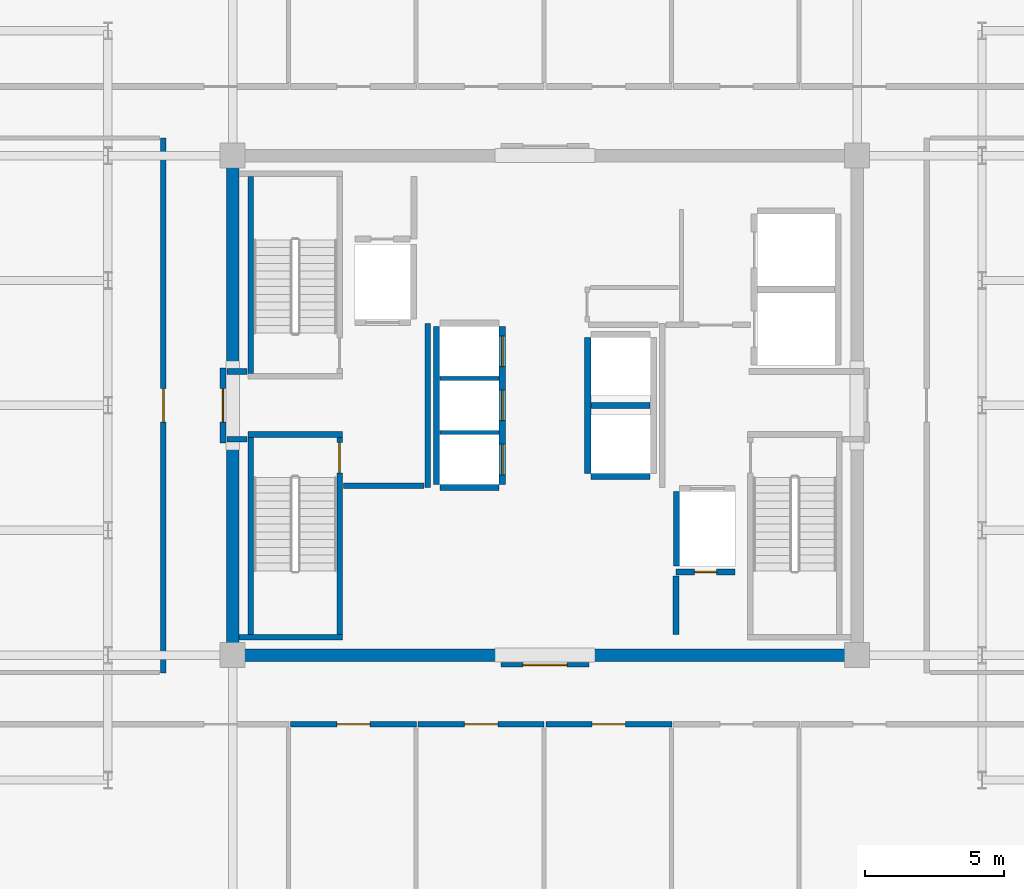
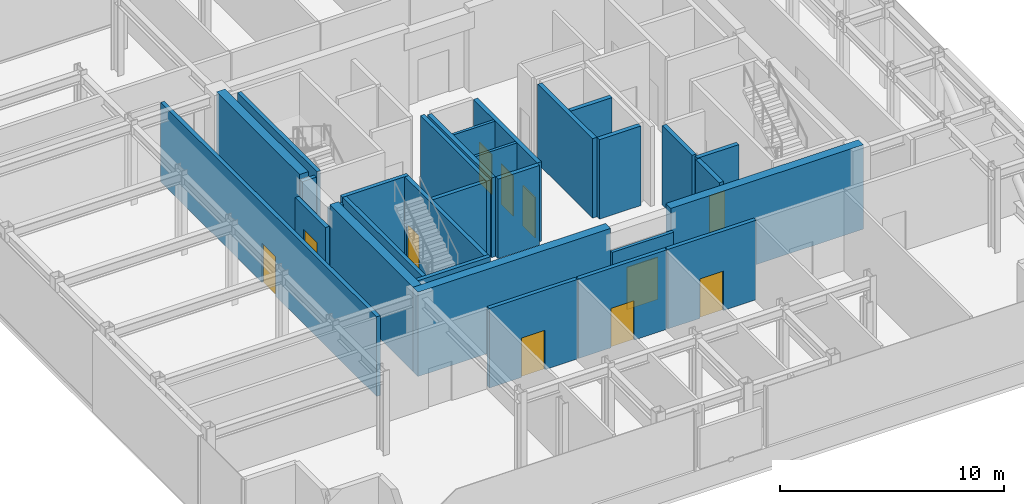
# One storey, part 13 of 18: 30 walls, 11 doors, 11 openings.
"""IFC4 building model written with IfcOpenShell, lengths in metres."""

from ifc_helpers import new_model, si_unit, direction, frame, frame_2d, origin, place, context, subcontext, project, spatial, rectangle, extrude, source, transform, mapped, material, layer, layer_set, type_object, element, fill, save


model = new_model("IFC4")

# Units and contexts
model_context = context("Model", 3, precision=1e-05, world=origin(), true_north=direction((0.0, 1.0)))
body_context = subcontext(model_context, "Body", "Model", "MODEL_VIEW")
ifc_project = project(units=[si_unit("LENGTHUNIT", "METRE"), si_unit("AREAUNIT", "SQUARE_METRE"), si_unit("VOLUMEUNIT", "CUBIC_METRE"), si_unit("PLANEANGLEUNIT", "RADIAN"), si_unit("MASSUNIT", "GRAM", prefix="KILO")], contexts=[model_context])

# Site, building, storey
site_placement = place(None, origin())
site = spatial("IfcSite", under=ifc_project, at=site_placement, CompositionType="ELEMENT")
building_placement = place(site_placement, origin())
building = spatial("IfcBuilding", under=site, at=building_placement, Name="Nefas-Gora Pilgrimage Tower", CompositionType="ELEMENT")
storey_placement = place(building_placement, frame((0.0, 0.0, 317.800048828125)))
storey = spatial("IfcBuildingStorey", under=building, at=storey_placement, Name="L80", CompositionType="ELEMENT", Elevation=317.800048828125)

# Walls
ifc_material_1 = material(Name="Concrete C50/60", Category="concrete")
ifc_layer_1 = layer(ifc_material_1, 0.449951171875)
ifc_layer_set_1 = layer_set([ifc_layer_1], Name="Concrete C50/60")
wall_type_1 = type_object("IfcWallType", Name="SW-CORE-450", PredefinedType="SHEAR", material=ifc_layer_set_1)
shared_shape_1 = source(origin(), body_context, "Body", "SweptSolid", [
    extrude(rectangle(XDim=9.925048828125, YDim=0.449951171875, at=frame_2d((4.96240234375, 0.0))), origin(), (0.0, 0.0, 1.0), 4.599853515625),
])
for number, where, z_axis, x_axis, name in (
    (1, (-11.47509765625, -9.0, 0.0), (0.0, 0.0, 1.0), (1.0, 0.0, 0.0), "L80 Core Shear Wall S-West"),
    (2, (1.550048828125, -9.0, 0.0), (0.0, 0.0, 1.0), (1.0, 0.0, 0.0), "L80 Core Shear Wall S-East"),
):
    element("IfcWall", number, at=place(storey_placement, frame(where, z_axis=z_axis, x_axis=x_axis)), inside=storey, type_object=wall_type_1, Name=name, PredefinedType="SHEAR", context=body_context, shape_type="MappedRepresentation", body=[
        mapped(shared_shape_1, transform((0.0, 0.0, 0.0), x_axis=(1.0, 0.0, 0.0), y_axis=(0.0, 1.0, 0.0), z_axis=(0.0, 0.0, 1.0), scale=1.0)),
    ])
shared_shape_2 = source(origin(), body_context, "Body", "SweptSolid", [
    extrude(rectangle(XDim=7.4248046875, YDim=0.449951171875, at=frame_2d((3.71240234375, 0.0))), origin(), (0.0, 0.0, 1.0), 4.599853515625),
])
for number, where, z_axis, x_axis, name in (
    (3, (-11.25, -8.77490234375, 0.0), (0.0, 0.0, 1.0), (0.0, 1.0, 0.0), "L80 Core Shear Wall W-South"),
    (4, (-11.25, 1.35009765625, 0.0), (0.0, 0.0, 1.0), (0.0, 1.0, 0.0), "L80 Core Shear Wall W-North"),
):
    element("IfcWall", number, at=place(storey_placement, frame(where, z_axis=z_axis, x_axis=x_axis)), inside=storey, type_object=wall_type_1, Name=name, PredefinedType="SHEAR", context=body_context, shape_type="MappedRepresentation", body=[
        mapped(shared_shape_2, transform((0.0, 0.0, 0.0), x_axis=(1.0, 0.0, 0.0), y_axis=(0.0, 1.0, 0.0), z_axis=(0.0, 0.0, 1.0), scale=1.0)),
    ])
ifc_material_2 = material(Name="Concrete C45/55", Category="concrete")
ifc_layer_2 = layer(ifc_material_2, 0.199951171875)
ifc_layer_set_2 = layer_set([ifc_layer_2], Name="Concrete C45/55")
wall_type_2 = type_object("IfcWallType", Name="IW-STAIR-200", PredefinedType="SOLIDWALL", material=ifc_layer_set_2)
shared_shape_3 = source(origin(), body_context, "Body", "SweptSolid", [
    extrude(rectangle(XDim=3.39990234375, YDim=0.199951171875, at=frame_2d((1.699951171875, 0.0))), origin(), (0.0, 0.0, 1.0), 4.599853515625),
])
wall_1_placement = place(storey_placement, frame((-10.699951171875, -1.050048828125, 0.0), z_axis=(0.0, 0.0, 1.0), x_axis=(1.0, 0.0, 0.0)))
element("IfcWall", 5, at=wall_1_placement, inside=storey, type_object=wall_type_2, Name="L80 Stairwell Shear Wall ST-03-near", PredefinedType="SOLIDWALL", context=body_context, shape_type="MappedRepresentation", body=[
    mapped(shared_shape_3, transform((0.0, 0.0, 0.0), x_axis=(1.0, 0.0, 0.0), y_axis=(0.0, 1.0, 0.0), z_axis=(0.0, 0.0, 1.0), scale=1.0)),
])
shared_shape_4 = source(origin(), body_context, "Body", "SweptSolid", [
    extrude(rectangle(XDim=3.72998046875, YDim=0.199951171875, at=frame_2d((1.864990234375, 0.0))), origin(), (0.0, 0.0, 1.0), 4.599853515625),
])
wall_2_placement = place(storey_placement, frame((-11.030029296875, -8.35009765625, 0.0), z_axis=(0.0, 0.0, 1.0), x_axis=(1.0, 0.0, 0.0)))
element("IfcWall", 6, at=wall_2_placement, inside=storey, type_object=wall_type_2, Name="L80 Stairwell Shear Wall ST-03-far", PredefinedType="SOLIDWALL", context=body_context, shape_type="MappedRepresentation", body=[
    mapped(shared_shape_4, transform((0.0, 0.0, 0.0), x_axis=(1.0, 0.0, 0.0), y_axis=(0.0, 1.0, 0.0), z_axis=(0.0, 0.0, 1.0), scale=1.0)),
])
shared_shape_5 = source(origin(), body_context, "Body", "SweptSolid", [
    extrude(rectangle(XDim=7.10009765625, YDim=0.199951171875, at=frame_2d((3.550048828125, 0.0))), origin(), (0.0, 0.0, 1.0), 4.599853515625),
])
for number, where, z_axis, x_axis, name in (
    (7, (-10.60009765625, 1.14990234375, 0.0), (0.0, 0.0, 1.0), (0.0, 1.0, 0.0), "L80 Stairwell Shear Wall ST-01-right"),
    (8, (-10.60009765625, -1.14990234375, 0.0), (0.0, 0.0, 1.0), (0.0, -1.0, 0.0), "L80 Stairwell Shear Wall ST-03-left"),
):
    element("IfcWall", number, at=place(storey_placement, frame(where, z_axis=z_axis, x_axis=x_axis)), inside=storey, type_object=wall_type_2, Name=name, PredefinedType="SOLIDWALL", context=body_context, shape_type="MappedRepresentation", body=[
        mapped(shared_shape_5, transform((0.0, 0.0, 0.0), x_axis=(1.0, 0.0, 0.0), y_axis=(0.0, 1.0, 0.0), z_axis=(0.0, 0.0, 1.0), scale=1.0)),
    ])

# Wall, opening, door
wall_3_placement = place(storey_placement, frame((-7.39990234375, -1.14990234375, 0.0), z_axis=(0.0, 0.0, 1.0), x_axis=(0.0, -1.0, 0.0)))
wall_3 = element("IfcWall", 9, at=wall_3_placement, inside=storey, type_object=wall_type_2, Name="L80 Stairwell Shear Wall ST-03-right", PredefinedType="SOLIDWALL", context=body_context, shape_type="MappedRepresentation", body=[
    mapped(shared_shape_5, transform((0.0, 0.0, 0.0), x_axis=(1.0, 0.0, 0.0), y_axis=(0.0, 1.0, 0.0), z_axis=(0.0, 0.0, 1.0), scale=1.0)),
])
opening_1_placement = place(wall_3_placement, frame((0.179931640625, 0.0, 0.0)))
opening_1 = element("IfcOpeningElement", 10, at=opening_1_placement, cuts=wall_3, Name="Opening ID-ST1", PredefinedType="OPENING", context=body_context, shape_type="SweptSolid", body=[
    extrude(rectangle(XDim=1.10009765625, YDim=2.14990234375, at=frame_2d((0.550048828125, 1.074951171875))), frame((0.0, 0.10986328125, 0.0), z_axis=(0.0, -1.0, 0.0), x_axis=(1.0, 0.0, 0.0)), (0.0, 0.0, 1.0), 0.219970703125),
])
ifc_material_3 = material(Name="Painted galvanised steel fire stair door", Category="steel")
door_type_1 = type_object("IfcDoorType", Name="DR-INT-STAIR-1100", OperationType="NOTDEFINED", PredefinedType="DOOR", material=ifc_material_3)
shared_shape_6 = source(origin(), body_context, "Body", "SweptSolid", [
    extrude(rectangle(XDim=1.10009765625, YDim=2.14990234375, at=frame_2d((0.550048828125, 1.074951171875))), frame((0.0, 0.02490234375, 0.0), z_axis=(0.0, -1.0, 0.0), x_axis=(1.0, 0.0, 0.0)), (0.0, 0.0, 1.0), 0.050048828125),
])
door_1_placement = place(opening_1_placement, origin())
door_1 = element("IfcDoor", 11, at=door_1_placement, inside=storey, type_object=door_type_1, Name="L80 Protected Exit Stair Door ST-03", OperationType="SINGLE_SWING_RIGHT", OverallHeight=2.14990234375, OverallWidth=1.10009765625, PredefinedType="DOOR", context=body_context, shape_type="MappedRepresentation", body=[
    mapped(shared_shape_6, transform((0.0, 0.0, 0.0), x_axis=(1.0, 0.0, 0.0), y_axis=(0.0, 1.0, 0.0), z_axis=(0.0, 0.0, 1.0), scale=1.0)),
])
fill(opening_1, door_1)

# Wall
ifc_material_4 = material(Name="Concrete C40/50", Category="concrete")
ifc_layer_3 = layer(ifc_material_4, 0.219970703125)
ifc_layer_set_3 = layer_set([ifc_layer_3], Name="Concrete C40/50")
wall_type_3 = type_object("IfcWallType", Name="IW-SHAFT-220", PredefinedType="SOLIDWALL", material=ifc_layer_set_3)
shared_shape_7 = source(origin(), body_context, "Body", "SweptSolid", [
    extrude(rectangle(XDim=2.679931640625, YDim=0.219970703125, at=frame_2d((1.33984375, 0.0))), origin(), (0.0, 0.0, 1.0), 4.3349609375),
])
wall_4_placement = place(storey_placement, frame((4.739990234375, -3.110107421875, 0.0), z_axis=(0.0, 0.0, 1.0), x_axis=(0.0, -1.0, 0.0)))
element("IfcWall", 12, at=wall_4_placement, inside=storey, type_object=wall_type_3, Name="L80 Hoistway Wall FFL-02-W", PredefinedType="SOLIDWALL", context=body_context, shape_type="MappedRepresentation", body=[
    mapped(shared_shape_7, transform((0.0, 0.0, 0.0), x_axis=(1.0, 0.0, 0.0), y_axis=(0.0, 1.0, 0.0), z_axis=(0.0, 0.0, 1.0), scale=1.0)),
])

# Wall, openings, doors
shared_shape_8 = source(origin(), body_context, "Body", "SweptSolid", [
    extrude(rectangle(XDim=5.7001953125, YDim=0.219970703125, at=frame_2d((2.85009765625, 0.0))), origin(), (0.0, 0.0, 1.0), 4.3349609375),
])
wall_5_placement = place(storey_placement, frame((-1.5400390625, -2.85009765625, 0.0), z_axis=(0.0, 0.0, 1.0), x_axis=(0.0, 1.0, 0.0)))
wall_5 = element("IfcWall", 13, at=wall_5_placement, inside=storey, type_object=wall_type_3, Name="L80 Hoistway Wall PL3-01-03-E", PredefinedType="SOLIDWALL", context=body_context, shape_type="MappedRepresentation", body=[
    mapped(shared_shape_8, transform((0.0, 0.0, 0.0), x_axis=(1.0, 0.0, 0.0), y_axis=(0.0, 1.0, 0.0), z_axis=(0.0, 0.0, 1.0), scale=1.0)),
])
opening_2_placement = place(wall_5_placement, frame((0.35009765625, 0.0, 0.0)))
opening_2 = element("IfcOpeningElement", 14, at=opening_2_placement, cuts=wall_5, Name="Opening LD-01", PredefinedType="OPENING", context=body_context, shape_type="SweptSolid", body=[
    extrude(rectangle(XDim=1.10009765625, YDim=2.199951171875, at=frame_2d((0.550048828125, 1.10009765625))), frame((0.0, 0.119873046875, 0.0), z_axis=(0.0, -1.0, 0.0), x_axis=(1.0, 0.0, 0.0)), (0.0, 0.0, 1.0), 0.239990234375),
])
opening_3_placement = place(wall_5_placement, frame((2.300048828125, 0.0, 0.0)))
opening_3 = element("IfcOpeningElement", 15, at=opening_3_placement, cuts=wall_5, Name="Opening LD-01", PredefinedType="OPENING", context=body_context, shape_type="SweptSolid", body=[
    extrude(rectangle(XDim=1.10009765625, YDim=2.199951171875, at=frame_2d((0.550048828125, 1.10009765625))), frame((0.0, 0.119873046875, 0.0), z_axis=(0.0, -1.0, 0.0), x_axis=(1.0, 0.0, 0.0)), (0.0, 0.0, 1.0), 0.239990234375),
])
opening_4_placement = place(wall_5_placement, frame((4.25, 0.0, 0.0)))
opening_4 = element("IfcOpeningElement", 16, at=opening_4_placement, cuts=wall_5, Name="Opening LD-01", PredefinedType="OPENING", context=body_context, shape_type="SweptSolid", body=[
    extrude(rectangle(XDim=1.10009765625, YDim=2.199951171875, at=frame_2d((0.550048828125, 1.10009765625))), frame((0.0, 0.119873046875, 0.0), z_axis=(0.0, -1.0, 0.0), x_axis=(1.0, 0.0, 0.0)), (0.0, 0.0, 1.0), 0.239990234375),
])
ifc_material_5 = material(Name="Brushed stainless sliding lift landing door")
door_type_2 = type_object("IfcDoorType", Name="DR-LIFT-PASS-1100", OperationType="DOUBLE_DOOR_SLIDING", PredefinedType="DOOR", material=ifc_material_5)
shared_shape_9 = source(origin(), body_context, "Body", "SweptSolid", [
    extrude(rectangle(XDim=1.10009765625, YDim=2.199951171875, at=frame_2d((0.550048828125, 1.10009765625))), frame((0.0, 0.02490234375, 0.0), z_axis=(0.0, -1.0, 0.0), x_axis=(1.0, 0.0, 0.0)), (0.0, 0.0, 1.0), 0.050048828125),
])
door_2_placement = place(opening_2_placement, origin())
door_2 = element("IfcDoor", 17, at=door_2_placement, inside=storey, type_object=door_type_2, Name="L80 Sliding Lift Landing Door PL3-01", OperationType="DOUBLE_DOOR_SLIDING", OverallHeight=2.199951171875, OverallWidth=1.10009765625, PredefinedType="DOOR", context=body_context, shape_type="MappedRepresentation", body=[
    mapped(shared_shape_9, transform((0.0, 0.0, 0.0), x_axis=(1.0, 0.0, 0.0), y_axis=(0.0, 1.0, 0.0), z_axis=(0.0, 0.0, 1.0), scale=1.0)),
])
fill(opening_2, door_2)
door_3_placement = place(opening_3_placement, origin())
door_3 = element("IfcDoor", 18, at=door_3_placement, inside=storey, type_object=door_type_2, Name="L80 Sliding Lift Landing Door PL3-02", OperationType="DOUBLE_DOOR_SLIDING", OverallHeight=2.199951171875, OverallWidth=1.10009765625, PredefinedType="DOOR", context=body_context, shape_type="MappedRepresentation", body=[
    mapped(shared_shape_9, transform((0.0, 0.0, 0.0), x_axis=(1.0, 0.0, 0.0), y_axis=(0.0, 1.0, 0.0), z_axis=(0.0, 0.0, 1.0), scale=1.0)),
])
fill(opening_3, door_3)
door_4_placement = place(opening_4_placement, origin())
door_4 = element("IfcDoor", 19, at=door_4_placement, inside=storey, type_object=door_type_2, Name="L80 Sliding Lift Landing Door PL3-03", OperationType="DOUBLE_DOOR_SLIDING", OverallHeight=2.199951171875, OverallWidth=1.10009765625, PredefinedType="DOOR", context=body_context, shape_type="MappedRepresentation", body=[
    mapped(shared_shape_9, transform((0.0, 0.0, 0.0), x_axis=(1.0, 0.0, 0.0), y_axis=(0.0, 1.0, 0.0), z_axis=(0.0, 0.0, 1.0), scale=1.0)),
])
fill(opening_4, door_4)

# Walls
wall_6_placement = place(storey_placement, frame((-3.909912109375, 2.85009765625, 0.0), z_axis=(0.0, 0.0, 1.0), x_axis=(0.0, -1.0, 0.0)))
element("IfcWall", 20, at=wall_6_placement, inside=storey, type_object=wall_type_3, Name="L80 Hoistway Wall PL3-01-03-W", PredefinedType="SOLIDWALL", context=body_context, shape_type="MappedRepresentation", body=[
    mapped(shared_shape_8, transform((0.0, 0.0, 0.0), x_axis=(1.0, 0.0, 0.0), y_axis=(0.0, 1.0, 0.0), z_axis=(0.0, 0.0, 1.0), scale=1.0)),
])
shared_shape_10 = source(origin(), body_context, "Body", "SweptSolid", [
    extrude(rectangle(XDim=2.130126953125, YDim=0.219970703125, at=frame_2d((1.06494140625, 0.0))), origin(), (0.0, 0.0, 1.0), 4.3349609375),
])
for number, where, z_axis, x_axis, name in (
    (21, (-3.7900390625, -2.9599609375, 0.0), (0.0, 0.0, 1.0), (1.0, 0.0, 0.0), "L80 Hoistway Wall PL3-01-S"),
    (22, (1.659912109375, -2.56005859375, 0.0), (0.0, 0.0, 1.0), (1.0, 0.0, 0.0), "L80 Hoistway Wall OBS-01-S"),
    (23, (1.659912109375, 0.0, 0.0), (0.0, 0.0, 1.0), (1.0, 0.0, 0.0), "L80 Hoistway Wall OBS-01-02-DIV"),
):
    element("IfcWall", number, at=place(storey_placement, frame(where, z_axis=z_axis, x_axis=x_axis)), inside=storey, type_object=wall_type_3, Name=name, PredefinedType="SOLIDWALL", context=body_context, shape_type="MappedRepresentation", body=[
        mapped(shared_shape_10, transform((0.0, 0.0, 0.0), x_axis=(1.0, 0.0, 0.0), y_axis=(0.0, 1.0, 0.0), z_axis=(0.0, 0.0, 1.0), scale=1.0)),
    ])

# Wall, opening, door
wall_7_placement = place(storey_placement, frame((4.719970703125, -6.0, 0.0), z_axis=(0.0, 0.0, 1.0), x_axis=(1.0, 0.0, 0.0)))
wall_7 = element("IfcWall", 24, at=wall_7_placement, inside=storey, type_object=wall_type_3, Name="L80 Riser Shaft Wall 3", PredefinedType="SOLIDWALL", context=body_context, shape_type="MappedRepresentation", body=[
    mapped(shared_shape_10, transform((0.0, 0.0, 0.0), x_axis=(1.0, 0.0, 0.0), y_axis=(0.0, 1.0, 0.0), z_axis=(0.0, 0.0, 1.0), scale=1.0)),
])
opening_5_placement = place(wall_7_placement, frame((0.6650390625, 0.0, 0.0)))
opening_5 = element("IfcOpeningElement", 25, at=opening_5_placement, cuts=wall_7, Name="Opening ID-TR1", PredefinedType="OPENING", context=body_context, shape_type="SweptSolid", body=[
    extrude(rectangle(XDim=0.800048828125, YDim=2.0, at=frame_2d((0.39990234375, 1.0))), frame((0.0, 0.119873046875, 0.0), z_axis=(0.0, -1.0, 0.0), x_axis=(1.0, 0.0, 0.0)), (0.0, 0.0, 1.0), 0.239990234375),
])
ifc_material_6 = material(Name="Riser maintenance fire access door")
door_type_3 = type_object("IfcDoorType", Name="DR-INT-TRAP-800", OperationType="NOTDEFINED", PredefinedType="TRAPDOOR", material=ifc_material_6)
shared_shape_11 = source(origin(), body_context, "Body", "SweptSolid", [
    extrude(rectangle(XDim=0.800048828125, YDim=2.0, at=frame_2d((0.39990234375, 1.0))), frame((0.0, 0.02490234375, 0.0), z_axis=(0.0, -1.0, 0.0), x_axis=(1.0, 0.0, 0.0)), (0.0, 0.0, 1.0), 0.050048828125),
])
door_5_placement = place(opening_5_placement, origin())
door_5 = element("IfcDoor", 26, at=door_5_placement, inside=storey, type_object=door_type_3, Name="L80 Riser Shaft Door 2", OperationType="SINGLE_SWING_LEFT", OverallHeight=2.0, OverallWidth=0.800048828125, PredefinedType="TRAPDOOR", context=body_context, shape_type="MappedRepresentation", body=[
    mapped(shared_shape_11, transform((0.0, 0.0, 0.0), x_axis=(1.0, 0.0, 0.0), y_axis=(0.0, 1.0, 0.0), z_axis=(0.0, 0.0, 1.0), scale=1.0)),
])
fill(opening_5, door_5)

# Walls
ifc_material_7 = material(Name="Gypsum twin-stud partition")
ifc_layer_4 = layer(ifc_material_7, 0.139892578125)
ifc_layer_set_4 = layer_set([ifc_layer_4], Name="Gypsum twin-stud partition")
wall_type_4 = type_object("IfcWallType", Name="IW-UNIT-140", PredefinedType="PARTITIONING", material=ifc_layer_set_4)
shared_shape_12 = source(origin(), body_context, "Body", "SweptSolid", [
    extrude(rectangle(XDim=2.130126953125, YDim=0.139892578125, at=frame_2d((1.06494140625, 0.0))), origin(), (0.0, 0.0, 1.0), 4.3349609375),
])
for number, where, z_axis, x_axis, name in (
    (27, (-3.7900390625, -0.97509765625, 0.0), (0.0, 0.0, 1.0), (1.0, 0.0, 0.0), "L80 Hoistway Wall PL3-01-02-DIV"),
    (28, (-3.7900390625, 0.97509765625, 0.0), (0.0, 0.0, 1.0), (1.0, 0.0, 0.0), "L80 Hoistway Wall PL3-02-03-DIV"),
):
    element("IfcWall", number, at=place(storey_placement, frame(where, z_axis=z_axis, x_axis=x_axis)), inside=storey, type_object=wall_type_4, Name=name, PredefinedType="PARTITIONING", context=body_context, shape_type="MappedRepresentation", body=[
        mapped(shared_shape_12, transform((0.0, 0.0, 0.0), x_axis=(1.0, 0.0, 0.0), y_axis=(0.0, 1.0, 0.0), z_axis=(0.0, 0.0, 1.0), scale=1.0)),
    ])
shared_shape_13 = source(origin(), body_context, "Body", "SweptSolid", [
    extrude(rectangle(XDim=4.89990234375, YDim=0.219970703125, at=frame_2d((2.449951171875, 0.0))), origin(), (0.0, 0.0, 1.0), 4.3349609375),
])
wall_8_placement = place(storey_placement, frame((1.5400390625, 2.449951171875, 0.0), z_axis=(0.0, 0.0, 1.0), x_axis=(0.0, -1.0, 0.0)))
element("IfcWall", 29, at=wall_8_placement, inside=storey, type_object=wall_type_3, Name="L80 Hoistway Wall OBS-01-02-W", PredefinedType="SOLIDWALL", context=body_context, shape_type="MappedRepresentation", body=[
    mapped(shared_shape_13, transform((0.0, 0.0, 0.0), x_axis=(1.0, 0.0, 0.0), y_axis=(0.0, 1.0, 0.0), z_axis=(0.0, 0.0, 1.0), scale=1.0)),
])
ifc_material_8 = material(Name="Gypsum fire-rated shaftwall")
ifc_layer_5 = layer(ifc_material_8, 0.199951171875)
ifc_layer_set_5 = layer_set([ifc_layer_5], Name="Gypsum fire-rated shaftwall")
wall_type_5 = type_object("IfcWallType", Name="IW-FFLOB-200", PredefinedType="PARTITIONING", material=ifc_layer_set_5)
shared_shape_14 = source(origin(), body_context, "Body", "SweptSolid", [
    extrude(rectangle(XDim=5.89990234375, YDim=0.199951171875, at=frame_2d((2.949951171875, 0.0))), origin(), (0.0, 0.0, 1.0), 4.3349609375),
])
wall_9_placement = place(storey_placement, frame((-4.219970703125, -2.949951171875, 0.0), z_axis=(0.0, 0.0, 1.0), x_axis=(0.0, 1.0, 0.0)))
element("IfcWall", 30, at=wall_9_placement, inside=storey, type_object=wall_type_5, Name="L80 FF Lobby West Inner Wall Wall 6", PredefinedType="PARTITIONING", context=body_context, shape_type="MappedRepresentation", body=[
    mapped(shared_shape_14, transform((0.0, 0.0, 0.0), x_axis=(1.0, 0.0, 0.0), y_axis=(0.0, 1.0, 0.0), z_axis=(0.0, 0.0, 1.0), scale=1.0)),
])
shared_shape_15 = source(origin(), body_context, "Body", "SweptSolid", [
    extrude(rectangle(XDim=2.89990234375, YDim=0.199951171875, at=frame_2d((1.449951171875, 0.0))), origin(), (0.0, 0.0, 1.0), 4.3349609375),
])
wall_10_placement = place(storey_placement, frame((-7.260009765625, -2.89990234375, 0.0), z_axis=(0.0, 0.0, 1.0), x_axis=(1.0, 0.0, 0.0)))
element("IfcWall", 31, at=wall_10_placement, inside=storey, type_object=wall_type_5, Name="L80 FF Lobby West South Wall Wall 7", PredefinedType="PARTITIONING", context=body_context, shape_type="MappedRepresentation", body=[
    mapped(shared_shape_15, transform((0.0, 0.0, 0.0), x_axis=(1.0, 0.0, 0.0), y_axis=(0.0, 1.0, 0.0), z_axis=(0.0, 0.0, 1.0), scale=1.0)),
])
shared_shape_16 = source(origin(), body_context, "Body", "SweptSolid", [
    extrude(rectangle(XDim=0.719970703125, YDim=0.199951171875, at=frame_2d((0.35986328125, 0.0))), origin(), (0.0, 0.0, 1.0), 4.3349609375),
])
for number, where, z_axis, x_axis, name in (
    (32, (-11.4599609375, 1.219970703125, 0.0), (0.0, 0.0, 1.0), (1.0, 0.0, 0.0), "L80 FF Lobby West Throat N Wall 8"),
    (33, (-11.4599609375, -1.219970703125, 0.0), (0.0, 0.0, 1.0), (1.0, 0.0, 0.0), "L80 FF Lobby West Throat S Wall 9"),
):
    element("IfcWall", number, at=place(storey_placement, frame(where, z_axis=z_axis, x_axis=x_axis)), inside=storey, type_object=wall_type_5, Name=name, PredefinedType="PARTITIONING", context=body_context, shape_type="MappedRepresentation", body=[
        mapped(shared_shape_16, transform((0.0, 0.0, 0.0), x_axis=(1.0, 0.0, 0.0), y_axis=(0.0, 1.0, 0.0), z_axis=(0.0, 0.0, 1.0), scale=1.0)),
    ])

# Wall, opening, door
ifc_layer_6 = layer(ifc_material_4, 0.199951171875)
ifc_layer_set_6 = layer_set([ifc_layer_6], Name="Concrete C40/50")
wall_type_6 = type_object("IfcWallType", Name="IW-PLANT-200", PredefinedType="SOLIDWALL", material=ifc_layer_set_6)
shared_shape_17 = source(origin(), body_context, "Body", "SweptSolid", [
    extrude(rectangle(XDim=19.27978515625, YDim=0.199951171875, at=frame_2d((9.639892578125, 0.0))), origin(), (0.0, 0.0, 1.0), 4.3349609375),
])
wall_11_placement = place(storey_placement, frame((-13.75, -9.639892578125, 0.0), z_axis=(0.0, 0.0, 1.0), x_axis=(0.0, 1.0, 0.0)))
wall_11 = element("IfcWall", 34, at=wall_11_placement, inside=storey, type_object=wall_type_6, Name="L80 Refuge Area West Partition Wall 21", PredefinedType="SOLIDWALL", context=body_context, shape_type="MappedRepresentation", body=[
    mapped(shared_shape_17, transform((0.0, 0.0, 0.0), x_axis=(1.0, 0.0, 0.0), y_axis=(0.0, 1.0, 0.0), z_axis=(0.0, 0.0, 1.0), scale=1.0)),
])
opening_6_placement = place(wall_11_placement, frame((9.0400390625, 0.0, 0.0)))
opening_6 = element("IfcOpeningElement", 35, at=opening_6_placement, cuts=wall_11, Name="Opening ID-PL1", PredefinedType="OPENING", context=body_context, shape_type="SweptSolid", body=[
    extrude(rectangle(XDim=1.199951171875, YDim=2.14990234375, at=frame_2d((0.60009765625, 1.074951171875))), frame((0.0, 0.10986328125, 0.0), z_axis=(0.0, -1.0, 0.0), x_axis=(1.0, 0.0, 0.0)), (0.0, 0.0, 1.0), 0.219970703125),
])
ifc_material_9 = material(Name="Heavy-duty steel plant room fire door", Category="steel")
door_type_4 = type_object("IfcDoorType", Name="DR-INT-PLANT-1200", OperationType="NOTDEFINED", PredefinedType="DOOR", material=ifc_material_9)
shared_shape_18 = source(origin(), body_context, "Body", "SweptSolid", [
    extrude(rectangle(XDim=1.199951171875, YDim=2.14990234375, at=frame_2d((0.60009765625, 1.074951171875))), frame((0.0, 0.02490234375, 0.0), z_axis=(0.0, -1.0, 0.0), x_axis=(1.0, 0.0, 0.0)), (0.0, 0.0, 1.0), 0.050048828125),
])
door_6_placement = place(opening_6_placement, origin())
door_6 = element("IfcDoor", 36, at=door_6_placement, inside=storey, type_object=door_type_4, Name="L80 Refuge Area West Door 9", OperationType="SINGLE_SWING_RIGHT", OverallHeight=2.14990234375, OverallWidth=1.199951171875, PredefinedType="DOOR", context=body_context, shape_type="MappedRepresentation", body=[
    mapped(shared_shape_18, transform((0.0, 0.0, 0.0), x_axis=(1.0, 0.0, 0.0), y_axis=(0.0, 1.0, 0.0), z_axis=(0.0, 0.0, 1.0), scale=1.0)),
])
fill(opening_6, door_6)

shared_shape_19 = source(origin(), body_context, "Body", "SweptSolid", [
    extrude(rectangle(XDim=4.5400390625, YDim=0.199951171875, at=frame_2d((2.27001953125, 0.0))), origin(), (0.0, 0.0, 1.0), 4.3349609375),
])
wall_12_placement = place(storey_placement, frame((-9.169921875, -11.489990234375, 0.0), z_axis=(0.0, 0.0, 1.0), x_axis=(1.0, 0.0, 0.0)))
wall_12 = element("IfcWall", 37, at=wall_12_placement, inside=storey, type_object=wall_type_6, Name="L80 Fire Sprinkler Booster Pump Plant Room Partition Wall 40", PredefinedType="SOLIDWALL", context=body_context, shape_type="MappedRepresentation", body=[
    mapped(shared_shape_19, transform((0.0, 0.0, 0.0), x_axis=(1.0, 0.0, 0.0), y_axis=(0.0, 1.0, 0.0), z_axis=(0.0, 0.0, 1.0), scale=1.0)),
])
opening_7_placement = place(wall_12_placement, frame((1.669921875, 0.0, 0.0)))
opening_7 = element("IfcOpeningElement", 38, at=opening_7_placement, cuts=wall_12, Name="Opening ID-PL1", PredefinedType="OPENING", context=body_context, shape_type="SweptSolid", body=[
    extrude(rectangle(XDim=1.199951171875, YDim=2.14990234375, at=frame_2d((0.60009765625, 1.074951171875))), frame((0.0, 0.10986328125, 0.0), z_axis=(0.0, -1.0, 0.0), x_axis=(1.0, 0.0, 0.0)), (0.0, 0.0, 1.0), 0.219970703125),
])
door_7_placement = place(opening_7_placement, origin())
door_7 = element("IfcDoor", 39, at=door_7_placement, inside=storey, type_object=door_type_4, Name="L80 Fire Sprinkler Booster Pump Plant Room Door 18", OperationType="SINGLE_SWING_LEFT", OverallHeight=2.14990234375, OverallWidth=1.199951171875, PredefinedType="DOOR", context=body_context, shape_type="MappedRepresentation", body=[
    mapped(shared_shape_18, transform((0.0, 0.0, 0.0), x_axis=(1.0, 0.0, 0.0), y_axis=(0.0, 1.0, 0.0), z_axis=(0.0, 0.0, 1.0), scale=1.0)),
])
fill(opening_7, door_7)

wall_13_placement = place(storey_placement, frame((-4.570068359375, -11.489990234375, 0.0), z_axis=(0.0, 0.0, 1.0), x_axis=(1.0, 0.0, 0.0)))
wall_13 = element("IfcWall", 40, at=wall_13_placement, inside=storey, type_object=wall_type_6, Name="L80 Domestic Cold Water Booster Plant Room Partition Wall 42", PredefinedType="SOLIDWALL", context=body_context, shape_type="MappedRepresentation", body=[
    mapped(shared_shape_19, transform((0.0, 0.0, 0.0), x_axis=(1.0, 0.0, 0.0), y_axis=(0.0, 1.0, 0.0), z_axis=(0.0, 0.0, 1.0), scale=1.0)),
])
opening_8_placement = place(wall_13_placement, frame((1.669921875, 0.0, 0.0)))
opening_8 = element("IfcOpeningElement", 41, at=opening_8_placement, cuts=wall_13, Name="Opening ID-PL1", PredefinedType="OPENING", context=body_context, shape_type="SweptSolid", body=[
    extrude(rectangle(XDim=1.199951171875, YDim=2.14990234375, at=frame_2d((0.60009765625, 1.074951171875))), frame((0.0, 0.10986328125, 0.0), z_axis=(0.0, -1.0, 0.0), x_axis=(1.0, 0.0, 0.0)), (0.0, 0.0, 1.0), 0.219970703125),
])
door_8_placement = place(opening_8_placement, origin())
door_8 = element("IfcDoor", 42, at=door_8_placement, inside=storey, type_object=door_type_4, Name="L80 Domestic Cold Water Booster Plant Room Door 19", OperationType="SINGLE_SWING_RIGHT", OverallHeight=2.14990234375, OverallWidth=1.199951171875, PredefinedType="DOOR", context=body_context, shape_type="MappedRepresentation", body=[
    mapped(shared_shape_18, transform((0.0, 0.0, 0.0), x_axis=(1.0, 0.0, 0.0), y_axis=(0.0, 1.0, 0.0), z_axis=(0.0, 0.0, 1.0), scale=1.0)),
])
fill(opening_8, door_8)

wall_14_placement = place(storey_placement, frame((0.030029296875, -11.489990234375, 0.0), z_axis=(0.0, 0.0, 1.0), x_axis=(1.0, 0.0, 0.0)))
wall_14 = element("IfcWall", 43, at=wall_14_placement, inside=storey, type_object=wall_type_6, Name="L80 Domestic and Fire Reserve Water Tank Plant Room Partition Wall 44", PredefinedType="SOLIDWALL", context=body_context, shape_type="MappedRepresentation", body=[
    mapped(shared_shape_19, transform((0.0, 0.0, 0.0), x_axis=(1.0, 0.0, 0.0), y_axis=(0.0, 1.0, 0.0), z_axis=(0.0, 0.0, 1.0), scale=1.0)),
])
opening_9_placement = place(wall_14_placement, frame((1.669921875, 0.0, 0.0)))
opening_9 = element("IfcOpeningElement", 44, at=opening_9_placement, cuts=wall_14, Name="Opening ID-PL1", PredefinedType="OPENING", context=body_context, shape_type="SweptSolid", body=[
    extrude(rectangle(XDim=1.199951171875, YDim=2.14990234375, at=frame_2d((0.60009765625, 1.074951171875))), frame((0.0, 0.10986328125, 0.0), z_axis=(0.0, -1.0, 0.0), x_axis=(1.0, 0.0, 0.0)), (0.0, 0.0, 1.0), 0.219970703125),
])
door_9_placement = place(opening_9_placement, origin())
door_9 = element("IfcDoor", 45, at=door_9_placement, inside=storey, type_object=door_type_4, Name="L80 Domestic and Fire Reserve Water Tank Plant Room Door 20", OperationType="SINGLE_SWING_LEFT", OverallHeight=2.14990234375, OverallWidth=1.199951171875, PredefinedType="DOOR", context=body_context, shape_type="MappedRepresentation", body=[
    mapped(shared_shape_18, transform((0.0, 0.0, 0.0), x_axis=(1.0, 0.0, 0.0), y_axis=(0.0, 1.0, 0.0), z_axis=(0.0, 0.0, 1.0), scale=1.0)),
])
fill(opening_9, door_9)

shared_shape_20 = source(origin(), body_context, "Body", "SweptSolid", [
    extrude(rectangle(XDim=2.7001953125, YDim=0.199951171875, at=frame_2d((1.35009765625, 0.0))), origin(), (0.0, 0.0, 1.0), 3.425048828125),
])
wall_15_placement = place(storey_placement, frame((-11.60009765625, -1.35009765625, 0.0), z_axis=(0.0, 0.0, 1.0), x_axis=(0.0, 1.0, 0.0)))
wall_15 = element("IfcWall", 46, at=wall_15_placement, inside=storey, type_object=wall_type_5, Name="L80 FF Lobby West Portal Wall 5", PredefinedType="PARTITIONING", context=body_context, shape_type="MappedRepresentation", body=[
    mapped(shared_shape_20, transform((0.0, 0.0, 0.0), x_axis=(1.0, 0.0, 0.0), y_axis=(0.0, 1.0, 0.0), z_axis=(0.0, 0.0, 1.0), scale=1.0)),
])
opening_10_placement = place(wall_15_placement, frame((0.75, 0.0, 0.0)))
opening_10 = element("IfcOpeningElement", 47, at=opening_10_placement, cuts=wall_15, Name="Opening ID-FF1", PredefinedType="OPENING", context=body_context, shape_type="SweptSolid", body=[
    extrude(rectangle(XDim=1.199951171875, YDim=2.14990234375, at=frame_2d((0.60009765625, 1.074951171875))), frame((0.0, 0.10986328125, 0.0), z_axis=(0.0, -1.0, 0.0), x_axis=(1.0, 0.0, 0.0)), (0.0, 0.0, 1.0), 0.219970703125),
])
ifc_material_10 = material(Name="Smoke-sealed steel firefighting lobby door", Category="steel")
door_type_5 = type_object("IfcDoorType", Name="DR-INT-FFLOB-1200", OperationType="NOTDEFINED", PredefinedType="DOOR", material=ifc_material_10)
door_10_placement = place(opening_10_placement, origin())
door_10 = element("IfcDoor", 48, at=door_10_placement, inside=storey, type_object=door_type_5, Name="L80 FF Lobby West Portal Door 3", OperationType="SINGLE_SWING_RIGHT", OverallHeight=2.14990234375, OverallWidth=1.199951171875, PredefinedType="DOOR", context=body_context, shape_type="MappedRepresentation", body=[
    mapped(shared_shape_18, transform((0.0, 0.0, 0.0), x_axis=(1.0, 0.0, 0.0), y_axis=(0.0, 1.0, 0.0), z_axis=(0.0, 0.0, 1.0), scale=1.0)),
])
fill(opening_10, door_10)

ifc_material_11 = material(Name="Gypsum acoustic stud partition")
ifc_layer_7 = layer(ifc_material_11, 0.159912109375)
ifc_layer_set_7 = layer_set([ifc_layer_7], Name="Gypsum acoustic stud partition")
wall_type_7 = type_object("IfcWallType", Name="IW-CORR-160", PredefinedType="PARTITIONING", material=ifc_layer_set_7)
shared_shape_21 = source(origin(), body_context, "Body", "SweptSolid", [
    extrude(rectangle(XDim=3.16015625, YDim=0.159912109375, at=frame_2d((1.580078125, 0.0))), origin(), (0.0, 0.0, 1.0), 3.425048828125),
])
wall_16_placement = place(storey_placement, frame((-1.580078125, -9.35009765625, 0.0), z_axis=(0.0, 0.0, 1.0), x_axis=(1.0, 0.0, 0.0)))
wall_16 = element("IfcWall", 49, at=wall_16_placement, inside=storey, type_object=wall_type_7, Name="L80 Central Lift Lobby South Portal Wall 17", PredefinedType="PARTITIONING", context=body_context, shape_type="MappedRepresentation", body=[
    mapped(shared_shape_21, transform((0.0, 0.0, 0.0), x_axis=(1.0, 0.0, 0.0), y_axis=(0.0, 1.0, 0.0), z_axis=(0.0, 0.0, 1.0), scale=1.0)),
])
opening_11_placement = place(wall_16_placement, frame((0.780029296875, 0.0, 0.0)))
opening_11 = element("IfcOpeningElement", 50, at=opening_11_placement, cuts=wall_16, Name="Opening ID-HL1", PredefinedType="OPENING", context=body_context, shape_type="SweptSolid", body=[
    extrude(rectangle(XDim=1.60009765625, YDim=2.300048828125, at=frame_2d((0.800048828125, 1.14990234375))), frame((0.0, 0.08984375, 0.0), z_axis=(0.0, -1.0, 0.0), x_axis=(1.0, 0.0, 0.0)), (0.0, 0.0, 1.0), 0.179931640625),
])
ifc_material_12 = material(Name="Double acoustic timber assembly hall door", Category="wood")
door_type_6 = type_object("IfcDoorType", Name="DR-INT-HALL-1600", OperationType="DOUBLE_DOOR_SINGLE_SWING", PredefinedType="DOOR", material=ifc_material_12)
shared_shape_22 = source(origin(), body_context, "Body", "SweptSolid", [
    extrude(rectangle(XDim=1.60009765625, YDim=2.300048828125, at=frame_2d((0.800048828125, 1.14990234375))), frame((0.0, 0.02490234375, 0.0), z_axis=(0.0, -1.0, 0.0), x_axis=(1.0, 0.0, 0.0)), (0.0, 0.0, 1.0), 0.050048828125),
])
door_11_placement = place(opening_11_placement, origin())
door_11 = element("IfcDoor", 51, at=door_11_placement, inside=storey, type_object=door_type_6, Name="L80 Central Lift Lobby South Portal Door 7", OperationType="DOUBLE_DOOR_SINGLE_SWING", OverallHeight=2.300048828125, OverallWidth=1.60009765625, PredefinedType="DOOR", context=body_context, shape_type="MappedRepresentation", body=[
    mapped(shared_shape_22, transform((0.0, 0.0, 0.0), x_axis=(1.0, 0.0, 0.0), y_axis=(0.0, 1.0, 0.0), z_axis=(0.0, 0.0, 1.0), scale=1.0)),
])
fill(opening_11, door_11)

# Wall
shared_shape_23 = source(origin(), body_context, "Body", "SweptSolid", [
    extrude(rectangle(XDim=2.10009765625, YDim=0.219970703125, at=frame_2d((1.050048828125, 0.0))), origin(), (0.0, 0.0, 1.0), 4.3349609375),
])
wall_17_placement = place(storey_placement, frame((4.719970703125, -8.25, 0.0), z_axis=(0.0, 0.0, 1.0), x_axis=(0.0, 1.0, 0.0)))
element("IfcWall", 52, at=wall_17_placement, inside=storey, type_object=wall_type_3, Name="L80 Riser Shaft Wall 4", PredefinedType="SOLIDWALL", context=body_context, shape_type="MappedRepresentation", body=[
    mapped(shared_shape_23, transform((0.0, 0.0, 0.0), x_axis=(1.0, 0.0, 0.0), y_axis=(0.0, 1.0, 0.0), z_axis=(0.0, 0.0, 1.0), scale=1.0)),
])

save(model, "model.ifc")
